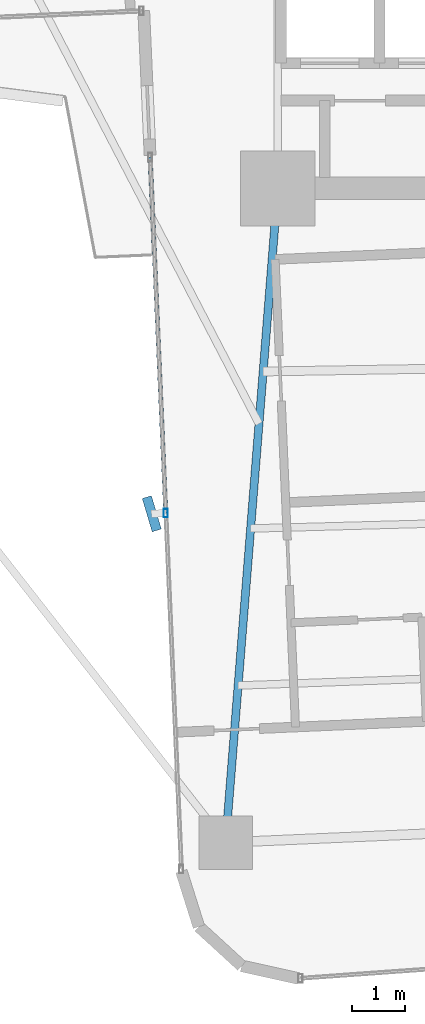
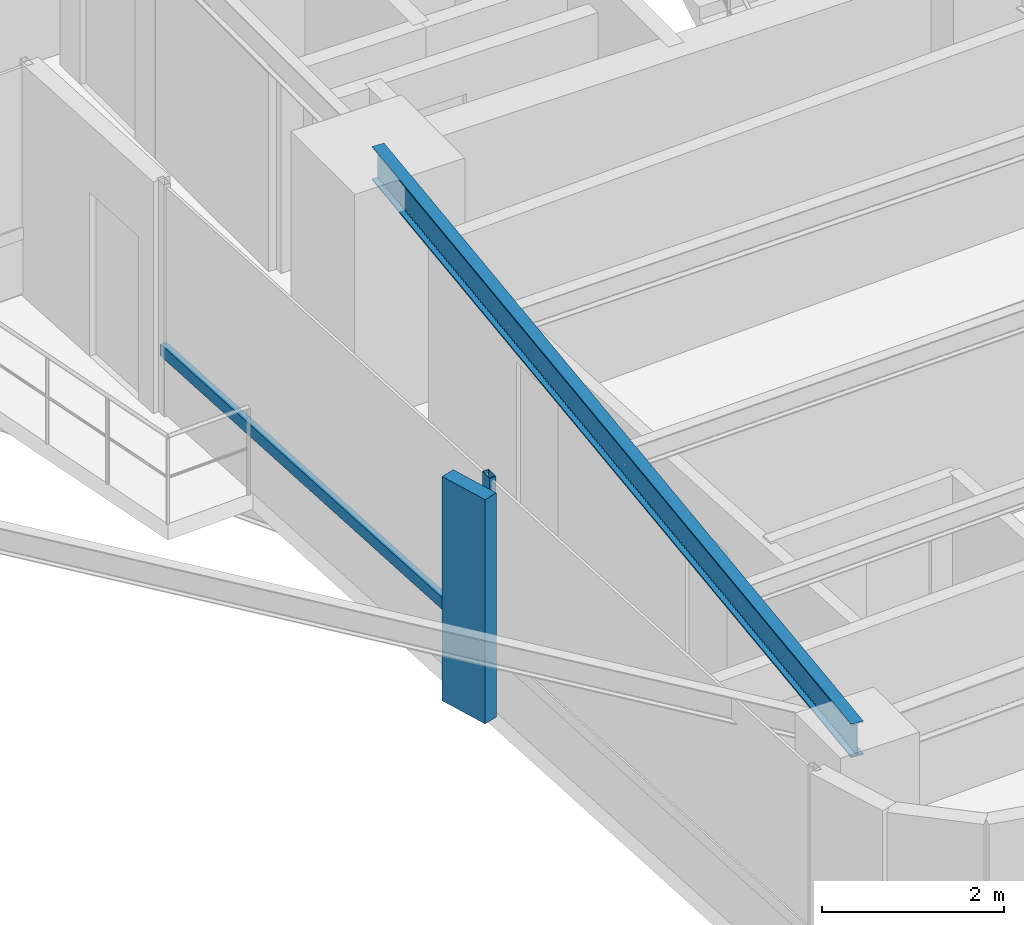
# One storey, part 4 of 26: 3 members, 1 beam, 1 element without a shape of its own.
"""IFC4 building model written with IfcOpenShell, lengths in metres."""

from ifc_helpers import new_model, si_unit, direction, frame, origin, origin_2d, place, context, subcontext, project, spatial, rectangle, hollow_rectangle, i_section, extrude, source, transform, mapped, material, material_profile, profile_set, type_object, element, aggregate, save


model = new_model("IFC4")

# Units and contexts
model_context = context("Model", 3, precision=1e-05, world=origin(), true_north=direction((0.0, 1.0)))
body_context = subcontext(model_context, "Body", "Model", "MODEL_VIEW")
ifc_project = project(units=[si_unit("LENGTHUNIT", "METRE"), si_unit("AREAUNIT", "SQUARE_METRE"), si_unit("VOLUMEUNIT", "CUBIC_METRE"), si_unit("PLANEANGLEUNIT", "RADIAN"), si_unit("MASSUNIT", "GRAM", prefix="KILO")], contexts=[model_context])

# Site, building, storey
site_placement = place(None, origin())
site = spatial("IfcSite", under=ifc_project, at=site_placement, CompositionType="ELEMENT")
building_placement = place(site_placement, origin())
building = spatial("IfcBuilding", under=site, at=building_placement, Name="Sahyath Konkavel Grand Hotel", CompositionType="ELEMENT")
storey_placement = place(building_placement, frame((0.0, 0.0, 111.449951171875)))
storey = spatial("IfcBuildingStorey", under=building, at=storey_placement, Name="L30", CompositionType="ELEMENT", Elevation=111.449951171875)

# Beam
ifc_material_1 = material(Name="Steel E350", Category="steel")
ifc_material_profile_1 = material_profile(ifc_material_1, i_section(OverallWidth=0.14990234375, OverallDepth=0.449951171875, WebThickness=0.009521484375, FlangeThickness=0.017333984375, FilletRadius=0.014892578125, at=origin_2d()), Name="ISMB 450")
ifc_profile_set_1 = profile_set([ifc_material_profile_1], Name="Steel E350")
beam_type = type_object("IfcBeamType", Name="BM-ISMB450", PredefinedType="BEAM", material=ifc_profile_set_1)
shared_shape_1 = source(origin(), body_context, "Body", "SweptSolid", [
    extrude(i_section(OverallWidth=0.14990234375, OverallDepth=0.449951171875, WebThickness=0.009521484375, FlangeThickness=0.017333984375, FilletRadius=0.014892578125, at=origin_2d()), origin(), (0.0, 0.0, 1.0), 12.2685546875),
])
beam_placement = place(storey_placement, frame((-3.800048828125, -10.199951171875, 2.885009765625), z_axis=(-0.079558563357, -0.996830193662, 0.0), x_axis=(0.996830193662, -0.079558563357, 0.0)))
element("IfcBeam", 1, at=beam_placement, inside=storey, type_object=beam_type, Name="L30 Cruciform Radial Girder SA", PredefinedType="BEAM", context=body_context, shape_type="MappedRepresentation", body=[
    mapped(shared_shape_1, transform((0.0, 0.0, 0.0), scale=1.0)),
])

# Curtain wall, members
ifc_material_2 = material(Name="Anodised Bronze Aluminium & Low-E Glazing", Category="aluminium")
curtain_wall_type = type_object("IfcCurtainWallType", Name="CW-ZONE2", PredefinedType="NOTDEFINED", material=ifc_material_2)
curtain_wall_placement = place(storey_placement, origin())
curtain_wall = element("IfcCurtainWall", 2, at=curtain_wall_placement, inside=storey, type_object=curtain_wall_type, Name="L30 Unitised Curtain Wall F24", PredefinedType="NOTDEFINED")
ifc_material_3 = material(Name="Warm Buff Sandstone Cladding on Concrete C50/60", Category="masonry")
ifc_material_profile_2 = material_profile(ifc_material_3, rectangle(XDim=0.179931640625, YDim=0.64990234375, at=origin_2d()), Name="FIN 180x650")
ifc_profile_set_2 = profile_set([ifc_material_profile_2], Name="Warm Buff Sandstone Cladding on Concrete C50/60")
member_type_1 = type_object("IfcMemberType", Name="FIN-SANDSTONE-650", PredefinedType="MULLION", material=ifc_profile_set_2)
shared_shape_2 = source(origin(), body_context, "Body", "SweptSolid", [
    extrude(rectangle(XDim=0.179931640625, YDim=0.64990234375, at=origin_2d()), origin(), (0.0, 0.0, 1.0), 3.010009765625),
])
member_1_placement = place(storey_placement, frame((-6.155517578125, -16.283935546875, 0.050048828125), z_axis=(0.0, 0.0, 1.0), x_axis=(0.958172857028, 0.286190104747, 0.0)))
member_1 = element("IfcMember", 3, at=member_1_placement, type_object=member_type_1, Name="L30 Sandstone Vertical Solar Fin FIN F24-1", PredefinedType="MULLION", context=body_context, shape_type="MappedRepresentation", body=[
    mapped(shared_shape_2, transform((0.0, 0.0, 0.0), scale=1.0)),
])
ifc_material_4 = material(Name="Anodised Bronze Aluminium", Category="aluminium")
ifc_material_profile_3 = material_profile(ifc_material_4, hollow_rectangle(XDim=0.080078125, YDim=0.159912109375, WallThickness=0.006103515625, at=origin_2d()), Name="RHS 160x80x6")
ifc_profile_set_3 = profile_set([ifc_material_profile_3], Name="Anodised Bronze Aluminium")
member_type_2 = type_object("IfcMemberType", Name="CW-MUL-160", PredefinedType="MULLION", material=ifc_profile_set_3)
shared_shape_3 = source(origin(), body_context, "Body", "SweptSolid", [
    extrude(hollow_rectangle(XDim=0.080078125, YDim=0.159912109375, WallThickness=0.006103515625, at=origin_2d()), origin(), (0.0, 0.0, 1.0), 3.110107421875),
])
member_2_placement = place(storey_placement, frame((-5.895751953125, -16.272705078125, 0.0), z_axis=(0.0, 0.0, 1.0), x_axis=(1.0, 0.0, 0.0)))
member_2 = element("IfcMember", 4, at=member_2_placement, type_object=member_type_2, Name="L30 Curtain Wall Mullion F24-1", PredefinedType="MULLION", context=body_context, shape_type="MappedRepresentation", body=[
    mapped(shared_shape_3, transform((0.0, 0.0, 0.0), scale=1.0)),
])
ifc_material_profile_4 = material_profile(ifc_material_4, hollow_rectangle(XDim=0.080078125, YDim=0.159912109375, WallThickness=0.006103515625, at=origin_2d()), Name="RHS 160x80x6")
ifc_profile_set_4 = profile_set([ifc_material_profile_4], Name="Anodised Bronze Aluminium")
member_type_3 = type_object("IfcMemberType", Name="CW-TRN-160", PredefinedType="USERDEFINED", material=ifc_profile_set_4)
shared_shape_4 = source(origin(), body_context, "Body", "SweptSolid", [
    extrude(hollow_rectangle(XDim=0.080078125, YDim=0.159912109375, WallThickness=0.006103515625, at=origin_2d()), origin(), (0.0, 0.0, 1.0), 6.66015625),
])
member_3_placement = place(storey_placement, frame((-6.186279296875, -9.618896484375, 0.85009765625), z_axis=(0.043621753165, -0.999048118286, 0.0), x_axis=(0.999048118286, 0.043621753165, 0.0)))
member_3 = element("IfcMember", 5, at=member_3_placement, type_object=member_type_3, Name="L30 Curtain Wall Transom F24-0-spandrel", ObjectType="TRANSOM", PredefinedType="USERDEFINED", context=body_context, shape_type="MappedRepresentation", body=[
    mapped(shared_shape_4, transform((0.0, 0.0, 0.0), scale=1.0)),
])
aggregate(curtain_wall, [member_2, member_1, member_3])

save(model, "model.ifc")
